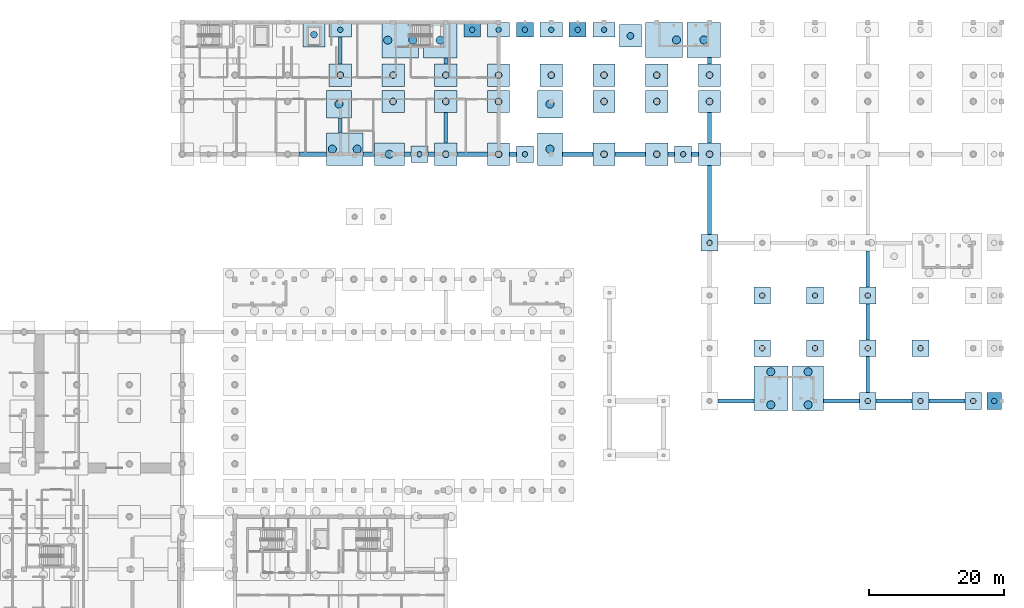
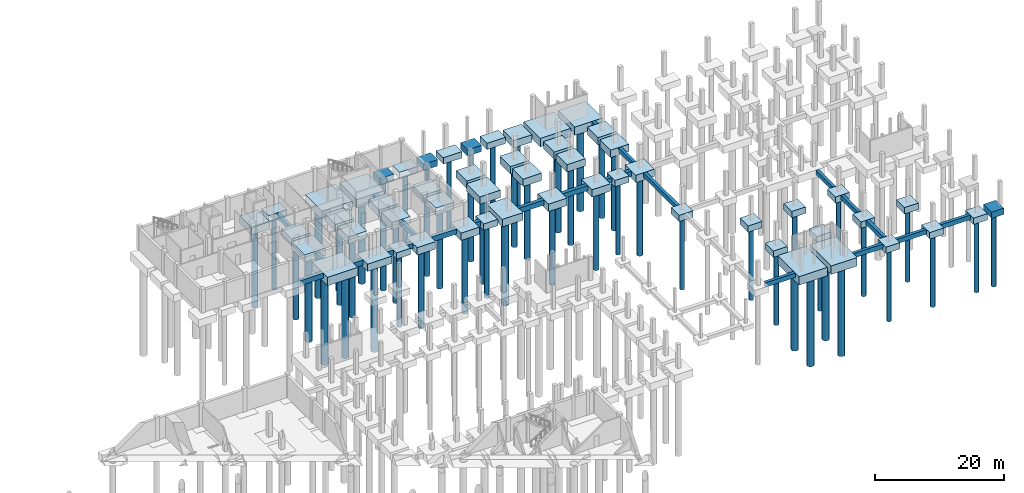
# One storey, part 4 of 24: 78 footings, 58 piles.
"""IFC4 building model written with IfcOpenShell, lengths in metres."""

from ifc_helpers import new_model, si_unit, direction, frame, origin, origin_2d, place, context, subcontext, project, spatial, rectangle, circle, extrude, material, material_profile, profile_set, type_object, element, save


model = new_model("IFC4")

# Units and contexts
model_context = context("Model", 3, precision=1e-05, world=origin(), true_north=direction((0.0, 1.0)))
body_context = subcontext(model_context, "Body", "Model", "MODEL_VIEW")
ifc_project = project(units=[si_unit("LENGTHUNIT", "METRE"), si_unit("AREAUNIT", "SQUARE_METRE"), si_unit("VOLUMEUNIT", "CUBIC_METRE"), si_unit("PLANEANGLEUNIT", "RADIAN"), si_unit("MASSUNIT", "GRAM", prefix="KILO")], contexts=[model_context])

# Site, building, storey
site_placement = place(None, origin())
site = spatial("IfcSite", under=ifc_project, at=site_placement, CompositionType="ELEMENT")
building_placement = place(site_placement, origin())
building = spatial("IfcBuilding", under=site, at=building_placement, Name="Celorna Specialist Clinic", CompositionType="ELEMENT")
storey_placement = place(building_placement, frame((0.0, 0.0, -4.5)))
storey = spatial("IfcBuildingStorey", under=building, at=storey_placement, Name="B01", CompositionType="ELEMENT", Elevation=-4.5)

# Footings
ifc_material = material(Name="Concrete C35/45", Category="concrete")
footing_type_1 = type_object("IfcFootingType", Name="FB-01", PredefinedType="FOOTING_BEAM", material=ifc_material)
footing_1_placement = place(storey_placement, frame((128.699951171875, 60.0, -0.85009765625), z_axis=(0.0, 0.0, 1.0), x_axis=(1.0, 0.0, 0.0)))
element("IfcFooting", 1, at=footing_1_placement, inside=storey, type_object=footing_type_1, Name="Foundation tie beam FB-01 #51", PredefinedType="FOOTING_BEAM", context=body_context, shape_type="SweptSolid", body=[
    extrude(rectangle(XDim=5.300048828125, YDim=0.550048828125, at=origin_2d()), origin(), (0.0, 0.0, 1.0), 0.85009765625),
])
footing_2_placement = place(storey_placement, frame((144.320068359375, 60.0, -0.85009765625), z_axis=(0.0, 0.0, 1.0), x_axis=(1.0, 0.0, 0.0)))
element("IfcFooting", 2, at=footing_2_placement, inside=storey, type_object=footing_type_1, Name="Foundation tie beam FB-01 #52", PredefinedType="FOOTING_BEAM", context=body_context, shape_type="SweptSolid", body=[
    extrude(rectangle(XDim=5.260009765625, YDim=0.550048828125, at=origin_2d()), origin(), (0.0, 0.0, 1.0), 0.85009765625),
])
for number, where, z_axis, x_axis, name in (
    (3, (152.10009765625, 60.0, -0.85009765625), (0.0, 0.0, 1.0), (1.0, 0.0, 0.0), "Foundation tie beam FB-01 #53"),
    (4, (159.89990234375, 60.0, -0.85009765625), (0.0, 0.0, 1.0), (1.0, 0.0, 0.0), "Foundation tie beam FB-01 #54"),
):
    element("IfcFooting", number, at=place(storey_placement, frame(where, z_axis=z_axis, x_axis=x_axis)), inside=storey, type_object=footing_type_1, Name=name, PredefinedType="FOOTING_BEAM", context=body_context, shape_type="SweptSolid", body=[
        extrude(rectangle(XDim=5.300048828125, YDim=0.550048828125, at=origin_2d()), origin(), (0.0, 0.0, 1.0), 0.85009765625),
    ])
footing_3_placement = place(storey_placement, frame((70.199951171875, 100.75, -0.85009765625), z_axis=(0.0, 0.0, 1.0), x_axis=(0.0, 1.0, 0.0)))
element("IfcFooting", 5, at=footing_3_placement, inside=storey, type_object=footing_type_1, Name="Foundation tie beam FB-01 #131", PredefinedType="FOOTING_BEAM", context=body_context, shape_type="SweptSolid", body=[
    extrude(rectangle(XDim=2.199951171875, YDim=0.550048828125, at=origin_2d()), origin(), (0.0, 0.0, 1.0), 0.85009765625),
])
footing_4_placement = place(storey_placement, frame((70.199951171875, 111.824951171875, -0.85009765625), z_axis=(0.0, 0.0, 1.0), x_axis=(0.0, 1.0, 0.0)))
element("IfcFooting", 6, at=footing_4_placement, inside=storey, type_object=footing_type_1, Name="Foundation tie beam FB-01 #132", PredefinedType="FOOTING_BEAM", context=body_context, shape_type="SweptSolid", body=[
    extrude(rectangle(XDim=3.949951171875, YDim=0.550048828125, at=origin_2d()), origin(), (0.0, 0.0, 1.0), 0.85009765625),
])
footing_5_placement = place(storey_placement, frame((85.800048828125, 100.39990234375, -0.85009765625), z_axis=(0.0, 0.0, 1.0), x_axis=(0.0, 1.0, 0.0)))
element("IfcFooting", 7, at=footing_5_placement, inside=storey, type_object=footing_type_1, Name="Foundation tie beam FB-01 #138", PredefinedType="FOOTING_BEAM", context=body_context, shape_type="SweptSolid", body=[
    extrude(rectangle(XDim=4.5, YDim=0.550048828125, at=origin_2d()), origin(), (0.0, 0.0, 1.0), 0.85009765625),
])
footing_6_placement = place(storey_placement, frame((85.800048828125, 110.284912109375, -0.85009765625), z_axis=(0.0, 0.0, 1.0), x_axis=(0.0, 1.0, 0.0)))
element("IfcFooting", 8, at=footing_6_placement, inside=storey, type_object=footing_type_1, Name="Foundation tie beam FB-01 #139", PredefinedType="FOOTING_BEAM", context=body_context, shape_type="SweptSolid", body=[
    extrude(rectangle(XDim=0.8701171875, YDim=0.550048828125, at=origin_2d()), origin(), (0.0, 0.0, 1.0), 0.85009765625),
])
footing_7_placement = place(storey_placement, frame((124.800048828125, 89.75, -0.85009765625), z_axis=(0.0, 0.0, 1.0), x_axis=(0.0, 1.0, 0.0)))
element("IfcFooting", 9, at=footing_7_placement, inside=storey, type_object=footing_type_1, Name="Foundation tie beam FB-01 #143", PredefinedType="FOOTING_BEAM", context=body_context, shape_type="SweptSolid", body=[
    extrude(rectangle(XDim=10.199951171875, YDim=0.550048828125, at=origin_2d()), origin(), (0.0, 0.0, 1.0), 0.85009765625),
])
footing_8_placement = place(storey_placement, frame((124.800048828125, 100.39990234375, -0.85009765625), z_axis=(0.0, 0.0, 1.0), x_axis=(0.0, 1.0, 0.0)))
element("IfcFooting", 10, at=footing_8_placement, inside=storey, type_object=footing_type_1, Name="Foundation tie beam FB-01 #144", PredefinedType="FOOTING_BEAM", context=body_context, shape_type="SweptSolid", body=[
    extrude(rectangle(XDim=4.5, YDim=0.550048828125, at=origin_2d()), origin(), (0.0, 0.0, 1.0), 0.85009765625),
])
footing_9_placement = place(storey_placement, frame((124.800048828125, 110.3349609375, -0.85009765625), z_axis=(0.0, 0.0, 1.0), x_axis=(0.0, 1.0, 0.0)))
element("IfcFooting", 11, at=footing_9_placement, inside=storey, type_object=footing_type_1, Name="Foundation tie beam FB-01 #145", PredefinedType="FOOTING_BEAM", context=body_context, shape_type="SweptSolid", body=[
    extrude(rectangle(XDim=0.969970703125, YDim=0.550048828125, at=origin_2d()), origin(), (0.0, 0.0, 1.0), 0.85009765625),
])
for number, where, z_axis, x_axis, name in (
    (12, (148.199951171875, 63.89990234375, -0.85009765625), (0.0, 0.0, 1.0), (0.0, 1.0, 0.0), "Foundation tie beam FB-01 #146"),
    (13, (148.199951171875, 71.699951171875, -0.85009765625), (0.0, 0.0, 1.0), (0.0, 1.0, 0.0), "Foundation tie beam FB-01 #147"),
    (14, (148.199951171875, 79.5, -0.85009765625), (0.0, 0.0, 1.0), (0.0, 1.0, 0.0), "Foundation tie beam FB-01 #148"),
):
    element("IfcFooting", number, at=place(storey_placement, frame(where, z_axis=z_axis, x_axis=x_axis)), inside=storey, type_object=footing_type_1, Name=name, PredefinedType="FOOTING_BEAM", context=body_context, shape_type="SweptSolid", body=[
        extrude(rectangle(XDim=5.300048828125, YDim=0.550048828125, at=origin_2d()), origin(), (0.0, 0.0, 1.0), 0.85009765625),
    ])
footing_type_2 = type_object("IfcFootingType", Name="FB-02", PredefinedType="FOOTING_BEAM", material=ifc_material)
footing_10_placement = place(storey_placement, frame((66.10009765625, 96.5, -0.9501953125), z_axis=(0.0, 0.0, 1.0), x_axis=(1.0, 0.0, 0.0)))
element("IfcFooting", 15, at=footing_10_placement, inside=storey, type_object=footing_type_2, Name="Foundation tie beam FB-02 #86", PredefinedType="FOOTING_BEAM", context=body_context, shape_type="SweptSolid", body=[
    extrude(rectangle(XDim=4.10009765625, YDim=0.64990234375, at=origin_2d()), origin(), (0.0, 0.0, 1.0), 0.949951171875),
])
footing_11_placement = place(storey_placement, frame((74.39990234375, 96.5, -0.9501953125), z_axis=(0.0, 0.0, 1.0), x_axis=(1.0, 0.0, 0.0)))
element("IfcFooting", 16, at=footing_11_placement, inside=storey, type_object=footing_type_2, Name="Foundation tie beam FB-02 #87", PredefinedType="FOOTING_BEAM", context=body_context, shape_type="SweptSolid", body=[
    extrude(rectangle(XDim=1.699951171875, YDim=0.64990234375, at=origin_2d()), origin(), (0.0, 0.0, 1.0), 0.949951171875),
])
for number, where, z_axis, x_axis, name in (
    (17, (80.14990234375, 96.5, -0.9501953125), (0.0, 0.0, 1.0), (1.0, 0.0, 0.0), "Foundation tie beam FB-02 #88"),
    (18, (83.64990234375, 96.5, -0.9501953125), (0.0, 0.0, 1.0), (1.0, 0.0, 0.0), "Foundation tie beam FB-02 #89"),
):
    element("IfcFooting", number, at=place(storey_placement, frame(where, z_axis=z_axis, x_axis=x_axis)), inside=storey, type_object=footing_type_2, Name=name, PredefinedType="FOOTING_BEAM", context=body_context, shape_type="SweptSolid", body=[
        extrude(rectangle(XDim=1.0, YDim=0.64990234375, at=origin_2d()), origin(), (0.0, 0.0, 1.0), 0.949951171875),
    ])
footing_12_placement = place(storey_placement, frame((89.699951171875, 96.5, -0.9501953125), z_axis=(0.0, 0.0, 1.0), x_axis=(1.0, 0.0, 0.0)))
element("IfcFooting", 19, at=footing_12_placement, inside=storey, type_object=footing_type_2, Name="Foundation tie beam FB-02 #90", PredefinedType="FOOTING_BEAM", context=body_context, shape_type="SweptSolid", body=[
    extrude(rectangle(XDim=4.5, YDim=0.64990234375, at=origin_2d()), origin(), (0.0, 0.0, 1.0), 0.949951171875),
])
footing_13_placement = place(storey_placement, frame((95.75, 96.5, -0.9501953125), z_axis=(0.0, 0.0, 1.0), x_axis=(1.0, 0.0, 0.0)))
element("IfcFooting", 20, at=footing_13_placement, inside=storey, type_object=footing_type_2, Name="Foundation tie beam FB-02 #91", PredefinedType="FOOTING_BEAM", context=body_context, shape_type="SweptSolid", body=[
    extrude(rectangle(XDim=1.0, YDim=0.64990234375, at=origin_2d()), origin(), (0.0, 0.0, 1.0), 0.949951171875),
])
for number, where, z_axis, x_axis, name in (
    (21, (105.300048828125, 96.5, -0.9501953125), (0.0, 0.0, 1.0), (1.0, 0.0, 0.0), "Foundation tie beam FB-02 #92"),
    (22, (113.10009765625, 96.5, -0.9501953125), (0.0, 0.0, 1.0), (1.0, 0.0, 0.0), "Foundation tie beam FB-02 #93"),
):
    element("IfcFooting", number, at=place(storey_placement, frame(where, z_axis=z_axis, x_axis=x_axis)), inside=storey, type_object=footing_type_2, Name=name, PredefinedType="FOOTING_BEAM", context=body_context, shape_type="SweptSolid", body=[
        extrude(rectangle(XDim=4.5, YDim=0.64990234375, at=origin_2d()), origin(), (0.0, 0.0, 1.0), 0.949951171875),
    ])
for number, where, z_axis, x_axis, name in (
    (23, (119.14990234375, 96.5, -0.9501953125), (0.0, 0.0, 1.0), (1.0, 0.0, 0.0), "Foundation tie beam FB-02 #94"),
    (24, (122.64990234375, 96.5, -0.9501953125), (0.0, 0.0, 1.0), (1.0, 0.0, 0.0), "Foundation tie beam FB-02 #95"),
):
    element("IfcFooting", number, at=place(storey_placement, frame(where, z_axis=z_axis, x_axis=x_axis)), inside=storey, type_object=footing_type_2, Name=name, PredefinedType="FOOTING_BEAM", context=body_context, shape_type="SweptSolid", body=[
        extrude(rectangle(XDim=1.0, YDim=0.64990234375, at=origin_2d()), origin(), (0.0, 0.0, 1.0), 0.949951171875),
    ])

# Piles
ifc_material_profile_1 = material_profile(ifc_material, circle(Radius=0.39990234375, at=origin_2d()), Name="BORED PILE 800")
ifc_profile_set_1 = profile_set([ifc_material_profile_1], Name="Concrete C35/45")
pile_type_1 = type_object("IfcPileType", Name="P1", PredefinedType="BORED", material=ifc_profile_set_1)
for number, where, z_axis, x_axis, name in (
    (25, (70.199951171875, 114.89990234375, -1.10009765625), (0.0, 0.0, -1.0), (1.0, 0.0, 0.0), "Bored pile P1 #146"),
    (26, (81.89990234375, 96.5, -1.10009765625), (0.0, 0.0, -1.0), (1.0, 0.0, 0.0), "Bored pile P1 #170"),
    (27, (89.699951171875, 114.89990234375, -1.10009765625), (0.0, 0.0, -1.0), (1.0, 0.0, 0.0), "Bored pile P1 #183"),
    (28, (93.60009765625, 114.89990234375, -1.10009765625), (0.0, 0.0, -1.0), (1.0, 0.0, 0.0), "Bored pile P1 #188"),
    (29, (97.5, 96.5, -1.10009765625), (0.0, 0.0, -1.0), (1.0, 0.0, 0.0), "Bored pile P1 #196"),
    (30, (97.5, 114.89990234375, -1.10009765625), (0.0, 0.0, -1.0), (1.0, 0.0, 0.0), "Bored pile P1 #197"),
    (31, (101.39990234375, 114.89990234375, -1.10009765625), (0.0, 0.0, -1.0), (1.0, 0.0, 0.0), "Bored pile P1 #202"),
    (32, (105.300048828125, 114.89990234375, -1.10009765625), (0.0, 0.0, -1.0), (1.0, 0.0, 0.0), "Bored pile P1 #209"),
    (33, (109.199951171875, 114.89990234375, -1.10009765625), (0.0, 0.0, -1.0), (1.0, 0.0, 0.0), "Bored pile P1 #213"),
    (34, (120.89990234375, 96.5, -1.10009765625), (0.0, 0.0, -1.0), (1.0, 0.0, 0.0), "Bored pile P1 #219"),
    (35, (124.800048828125, 83.39990234375, -1.10009765625), (0.0, 0.0, -1.0), (1.0, 0.0, 0.0), "Bored pile P1 #227"),
    (36, (132.60009765625, 67.800048828125, -1.10009765625), (0.0, 0.0, -1.0), (1.0, 0.0, 0.0), "Bored pile P1 #234"),
    (37, (132.60009765625, 75.60009765625, -1.10009765625), (0.0, 0.0, -1.0), (1.0, 0.0, 0.0), "Bored pile P1 #235"),
    (38, (140.39990234375, 67.800048828125, -1.10009765625), (0.0, 0.0, -1.0), (1.0, 0.0, 0.0), "Bored pile P1 #243"),
    (39, (140.39990234375, 75.60009765625, -1.10009765625), (0.0, 0.0, -1.0), (1.0, 0.0, 0.0), "Bored pile P1 #244"),
    (40, (148.199951171875, 60.0, -1.10009765625), (0.0, 0.0, -1.0), (1.0, 0.0, 0.0), "Bored pile P1 #254"),
    (41, (148.199951171875, 67.800048828125, -1.10009765625), (0.0, 0.0, -1.0), (1.0, 0.0, 0.0), "Bored pile P1 #255"),
    (42, (148.199951171875, 75.60009765625, -1.10009765625), (0.0, 0.0, -1.0), (1.0, 0.0, 0.0), "Bored pile P1 #256"),
    (43, (156.0, 60.0, -1.10009765625), (0.0, 0.0, -1.0), (1.0, 0.0, 0.0), "Bored pile P1 #262"),
    (44, (156.0, 67.800048828125, -1.10009765625), (0.0, 0.0, -1.0), (1.0, 0.0, 0.0), "Bored pile P1 #263"),
    (45, (163.800048828125, 60.0, -1.10009765625), (0.0, 0.0, -1.0), (1.0, 0.0, 0.0), "Bored pile P1 #273"),
    (46, (166.89990234375, 60.0, -1.10009765625), (0.0, 0.0, -1.0), (1.0, 0.0, 0.0), "Bored pile P1 #275"),
):
    element("IfcPile", number, at=place(storey_placement, frame(where, z_axis=z_axis, x_axis=x_axis)), inside=storey, type_object=pile_type_1, Name=name, PredefinedType="BORED", context=body_context, shape_type="SweptSolid", body=[
        extrude(circle(Radius=0.39990234375, at=origin_2d()), origin(), (0.0, 0.0, 1.0), 13.89990234375),
    ])
ifc_material_profile_2 = material_profile(ifc_material, circle(Radius=0.5, at=origin_2d()), Name="BORED PILE 1000")
ifc_profile_set_2 = profile_set([ifc_material_profile_2], Name="Concrete C35/45")
pile_type_2 = type_object("IfcPileType", Name="P2", PredefinedType="BORED", material=ifc_profile_set_2)
for number, where, z_axis, x_axis, name in (
    (47, (66.300048828125, 114.175048828125, -1.300048828125), (0.0, 0.0, -1.0), (1.0, 0.0, 0.0), "Bored pile P2 #133"),
    (48, (70.199951171875, 108.199951171875, -1.300048828125), (0.0, 0.0, -1.0), (1.0, 0.0, 0.0), "Bored pile P2 #145"),
    (49, (78.0, 104.300048828125, -1.300048828125), (0.0, 0.0, -1.0), (1.0, 0.0, 0.0), "Bored pile P2 #160"),
    (50, (78.0, 108.199951171875, -1.300048828125), (0.0, 0.0, -1.0), (1.0, 0.0, 0.0), "Bored pile P2 #161"),
    (51, (85.800048828125, 96.5, -1.300048828125), (0.0, 0.0, -1.0), (1.0, 0.0, 0.0), "Bored pile P2 #178"),
    (52, (85.800048828125, 104.300048828125, -1.300048828125), (0.0, 0.0, -1.0), (1.0, 0.0, 0.0), "Bored pile P2 #179"),
    (53, (85.800048828125, 108.199951171875, -1.300048828125), (0.0, 0.0, -1.0), (1.0, 0.0, 0.0), "Bored pile P2 #180"),
    (54, (93.60009765625, 96.5, -1.300048828125), (0.0, 0.0, -1.0), (1.0, 0.0, 0.0), "Bored pile P2 #185"),
    (55, (93.60009765625, 104.300048828125, -1.300048828125), (0.0, 0.0, -1.0), (1.0, 0.0, 0.0), "Bored pile P2 #186"),
    (56, (93.60009765625, 108.199951171875, -1.300048828125), (0.0, 0.0, -1.0), (1.0, 0.0, 0.0), "Bored pile P2 #187"),
    (57, (101.39990234375, 108.199951171875, -1.300048828125), (0.0, 0.0, -1.0), (1.0, 0.0, 0.0), "Bored pile P2 #201"),
    (58, (109.199951171875, 96.5, -1.300048828125), (0.0, 0.0, -1.0), (1.0, 0.0, 0.0), "Bored pile P2 #210"),
    (59, (109.199951171875, 104.300048828125, -1.300048828125), (0.0, 0.0, -1.0), (1.0, 0.0, 0.0), "Bored pile P2 #211"),
    (60, (109.199951171875, 108.199951171875, -1.300048828125), (0.0, 0.0, -1.0), (1.0, 0.0, 0.0), "Bored pile P2 #212"),
    (61, (113.10009765625, 114.0, -1.300048828125), (0.0, 0.0, -1.0), (1.0, 0.0, 0.0), "Bored pile P2 #214"),
    (62, (117.0, 96.5, -1.300048828125), (0.0, 0.0, -1.0), (1.0, 0.0, 0.0), "Bored pile P2 #215"),
    (63, (117.0, 104.300048828125, -1.300048828125), (0.0, 0.0, -1.0), (1.0, 0.0, 0.0), "Bored pile P2 #216"),
    (64, (117.0, 108.199951171875, -1.300048828125), (0.0, 0.0, -1.0), (1.0, 0.0, 0.0), "Bored pile P2 #217"),
    (65, (124.800048828125, 96.5, -1.300048828125), (0.0, 0.0, -1.0), (1.0, 0.0, 0.0), "Bored pile P2 #221"),
    (66, (124.800048828125, 104.300048828125, -1.300048828125), (0.0, 0.0, -1.0), (1.0, 0.0, 0.0), "Bored pile P2 #222"),
    (67, (124.800048828125, 108.199951171875, -1.300048828125), (0.0, 0.0, -1.0), (1.0, 0.0, 0.0), "Bored pile P2 #223"),
):
    element("IfcPile", number, at=place(storey_placement, frame(where, z_axis=z_axis, x_axis=x_axis)), inside=storey, type_object=pile_type_2, Name=name, PredefinedType="BORED", context=body_context, shape_type="SweptSolid", body=[
        extrude(circle(Radius=0.5, at=origin_2d()), origin(), (0.0, 0.0, 1.0), 15.199951171875),
    ])
ifc_material_profile_3 = material_profile(ifc_material, circle(Radius=0.60009765625, at=origin_2d()), Name="BORED PILE 1200")
ifc_profile_set_3 = profile_set([ifc_material_profile_3], Name="Concrete C35/45")
pile_type_3 = type_object("IfcPileType", Name="P3", PredefinedType="BORED", material=ifc_profile_set_3)
for number, where, z_axis, x_axis, name in (
    (68, (69.010009765625, 97.25, -1.5), (0.0, 0.0, -1.0), (1.0, 0.0, 0.0), "Bored pile P3 #140"),
    (69, (72.68994140625, 97.25, -1.5), (0.0, 0.0, -1.0), (1.0, 0.0, 0.0), "Bored pile P3 #141"),
):
    element("IfcPile", number, at=place(storey_placement, frame(where, z_axis=z_axis, x_axis=x_axis)), inside=storey, type_object=pile_type_3, Name=name, PredefinedType="BORED", context=body_context, shape_type="SweptSolid", body=[
        extrude(circle(Radius=0.60009765625, at=origin_2d()), origin(), (0.0, 0.0, 1.0), 16.5),
    ])
for number, where, z_axis, x_axis, name in (
    (70, (70.0, 103.89990234375, -1.300048828125), (0.0, 0.0, -1.0), (1.0, 0.0, 0.0), "Bored pile P3 #142"),
    (71, (77.449951171875, 96.5, -1.300048828125), (0.0, 0.0, -1.0), (1.0, 0.0, 0.0), "Bored pile P3 #155"),
):
    element("IfcPile", number, at=place(storey_placement, frame(where, z_axis=z_axis, x_axis=x_axis)), inside=storey, type_object=pile_type_3, Name=name, PredefinedType="BORED", context=body_context, shape_type="SweptSolid", body=[
        extrude(circle(Radius=0.60009765625, at=origin_2d()), origin(), (0.0, 0.0, 1.0), 16.699951171875),
    ])
for number, where, z_axis, x_axis, name in (
    (72, (77.2099609375, 113.360107421875, -1.5), (0.0, 0.0, -1.0), (1.0, 0.0, 0.0), "Bored pile P3 #162"),
    (73, (80.909912109375, 113.360107421875, -1.5), (0.0, 0.0, -1.0), (1.0, 0.0, 0.0), "Bored pile P3 #163"),
    (74, (84.9599609375, 113.360107421875, -1.5), (0.0, 0.0, -1.0), (1.0, 0.0, 0.0), "Bored pile P3 #171"),
):
    element("IfcPile", number, at=place(storey_placement, frame(where, z_axis=z_axis, x_axis=x_axis)), inside=storey, type_object=pile_type_3, Name=name, PredefinedType="BORED", context=body_context, shape_type="SweptSolid", body=[
        extrude(circle(Radius=0.60009765625, at=origin_2d()), origin(), (0.0, 0.0, 1.0), 16.5),
    ])
for number, where, z_axis, x_axis, name in (
    (75, (101.199951171875, 97.25, -1.300048828125), (0.0, 0.0, -1.0), (1.0, 0.0, 0.0), "Bored pile P3 #199"),
    (76, (101.199951171875, 103.89990234375, -1.300048828125), (0.0, 0.0, -1.0), (1.0, 0.0, 0.0), "Bored pile P3 #200"),
):
    element("IfcPile", number, at=place(storey_placement, frame(where, z_axis=z_axis, x_axis=x_axis)), inside=storey, type_object=pile_type_3, Name=name, PredefinedType="BORED", context=body_context, shape_type="SweptSolid", body=[
        extrude(circle(Radius=0.60009765625, at=origin_2d()), origin(), (0.0, 0.0, 1.0), 16.699951171875),
    ])
for number, where, z_axis, x_axis, name in (
    (77, (119.909912109375, 113.409912109375, -1.5), (0.0, 0.0, -1.0), (1.0, 0.0, 0.0), "Bored pile P3 #218"),
    (78, (123.9599609375, 113.409912109375, -1.5), (0.0, 0.0, -1.0), (1.0, 0.0, 0.0), "Bored pile P3 #220"),
    (79, (133.860107421875, 59.43994140625, -1.5), (0.0, 0.0, -1.0), (1.0, 0.0, 0.0), "Bored pile P3 #232"),
    (80, (133.860107421875, 64.320068359375, -1.5), (0.0, 0.0, -1.0), (1.0, 0.0, 0.0), "Bored pile P3 #233"),
    (81, (139.3798828125, 59.43994140625, -1.5), (0.0, 0.0, -1.0), (1.0, 0.0, 0.0), "Bored pile P3 #237"),
    (82, (139.3798828125, 64.320068359375, -1.5), (0.0, 0.0, -1.0), (1.0, 0.0, 0.0), "Bored pile P3 #238"),
):
    element("IfcPile", number, at=place(storey_placement, frame(where, z_axis=z_axis, x_axis=x_axis)), inside=storey, type_object=pile_type_3, Name=name, PredefinedType="BORED", context=body_context, shape_type="SweptSolid", body=[
        extrude(circle(Radius=0.60009765625, at=origin_2d()), origin(), (0.0, 0.0, 1.0), 16.5),
    ])

# Footings
footing_type_3 = type_object("IfcFootingType", Name="PC-02", PredefinedType="PILE_CAP", material=ifc_material)
for number, where, z_axis, x_axis, name in (
    (83, (70.199951171875, 114.89990234375, -1.2001953125), (0.0, 0.0, 1.0), (1.0, 0.0, 0.0), "Pile cap PC-02 #119"),
    (84, (93.60009765625, 114.89990234375, -1.2001953125), (0.0, 0.0, 1.0), (1.0, 0.0, 0.0), "Pile cap PC-02 #158"),
    (85, (101.39990234375, 114.89990234375, -1.2001953125), (0.0, 0.0, 1.0), (1.0, 0.0, 0.0), "Pile cap PC-02 #169"),
    (86, (109.199951171875, 114.89990234375, -1.2001953125), (0.0, 0.0, 1.0), (1.0, 0.0, 0.0), "Pile cap PC-02 #181"),
):
    element("IfcFooting", number, at=place(storey_placement, frame(where, z_axis=z_axis, x_axis=x_axis)), inside=storey, type_object=footing_type_3, Name=name, PredefinedType="PILE_CAP", context=body_context, shape_type="SweptSolid", body=[
        extrude(rectangle(XDim=3.300048828125, YDim=2.199951171875, at=origin_2d()), origin(), (0.0, 0.0, 1.0), 1.199951171875),
    ])
footing_type_4 = type_object("IfcFootingType", Name="PC-08", PredefinedType="PILE_CAP", material=ifc_material)
for number, where, z_axis, x_axis, name in (
    (87, (70.199951171875, 108.199951171875, -1.39990234375), (0.0, 0.0, 1.0), (1.0, 0.0, 0.0), "Pile cap PC-08 #118"),
    (88, (78.0, 104.300048828125, -1.39990234375), (0.0, 0.0, 1.0), (1.0, 0.0, 0.0), "Pile cap PC-08 #133"),
    (89, (78.0, 108.199951171875, -1.39990234375), (0.0, 0.0, 1.0), (1.0, 0.0, 0.0), "Pile cap PC-08 #134"),
    (90, (85.800048828125, 96.5, -1.39990234375), (0.0, 0.0, 1.0), (1.0, 0.0, 0.0), "Pile cap PC-08 #148"),
    (91, (85.800048828125, 104.300048828125, -1.39990234375), (0.0, 0.0, 1.0), (1.0, 0.0, 0.0), "Pile cap PC-08 #149"),
    (92, (85.800048828125, 108.199951171875, -1.39990234375), (0.0, 0.0, 1.0), (1.0, 0.0, 0.0), "Pile cap PC-08 #150"),
    (93, (93.60009765625, 96.5, -1.39990234375), (0.0, 0.0, 1.0), (1.0, 0.0, 0.0), "Pile cap PC-08 #155"),
    (94, (93.60009765625, 104.300048828125, -1.39990234375), (0.0, 0.0, 1.0), (1.0, 0.0, 0.0), "Pile cap PC-08 #156"),
    (95, (93.60009765625, 108.199951171875, -1.39990234375), (0.0, 0.0, 1.0), (1.0, 0.0, 0.0), "Pile cap PC-08 #157"),
    (96, (101.39990234375, 108.199951171875, -1.39990234375), (0.0, 0.0, 1.0), (1.0, 0.0, 0.0), "Pile cap PC-08 #168"),
    (97, (109.199951171875, 96.5, -1.39990234375), (0.0, 0.0, 1.0), (1.0, 0.0, 0.0), "Pile cap PC-08 #178"),
    (98, (109.199951171875, 104.300048828125, -1.39990234375), (0.0, 0.0, 1.0), (1.0, 0.0, 0.0), "Pile cap PC-08 #179"),
    (99, (109.199951171875, 108.199951171875, -1.39990234375), (0.0, 0.0, 1.0), (1.0, 0.0, 0.0), "Pile cap PC-08 #180"),
    (100, (113.10009765625, 114.0, -1.39990234375), (0.0, 0.0, 1.0), (1.0, 0.0, 0.0), "Pile cap PC-08 #182"),
    (101, (117.0, 96.5, -1.39990234375), (0.0, 0.0, 1.0), (1.0, 0.0, 0.0), "Pile cap PC-08 #183"),
    (102, (117.0, 104.300048828125, -1.39990234375), (0.0, 0.0, 1.0), (1.0, 0.0, 0.0), "Pile cap PC-08 #184"),
    (103, (117.0, 108.199951171875, -1.39990234375), (0.0, 0.0, 1.0), (1.0, 0.0, 0.0), "Pile cap PC-08 #185"),
    (104, (124.800048828125, 96.5, -1.39990234375), (0.0, 0.0, 1.0), (1.0, 0.0, 0.0), "Pile cap PC-08 #189"),
    (105, (124.800048828125, 104.300048828125, -1.39990234375), (0.0, 0.0, 1.0), (1.0, 0.0, 0.0), "Pile cap PC-08 #190"),
    (106, (124.800048828125, 108.199951171875, -1.39990234375), (0.0, 0.0, 1.0), (1.0, 0.0, 0.0), "Pile cap PC-08 #191"),
):
    element("IfcFooting", number, at=place(storey_placement, frame(where, z_axis=z_axis, x_axis=x_axis)), inside=storey, type_object=footing_type_4, Name=name, PredefinedType="PILE_CAP", context=body_context, shape_type="SweptSolid", body=[
        extrude(rectangle(XDim=3.300048828125, YDim=3.300048828125, at=origin_2d()), origin(), (0.0, 0.0, 1.0), 1.39990234375),
    ])
footing_type_5 = type_object("IfcFootingType", Name="PC-11", PredefinedType="PILE_CAP", material=ifc_material)
for number, where, z_axis, x_axis, name in (
    (107, (70.0, 103.89990234375, -1.39990234375), (0.0, 0.0, 1.0), (1.0, 0.0, 0.0), "Pile cap PC-11 #115"),
    (108, (101.199951171875, 103.89990234375, -1.39990234375), (0.0, 0.0, 1.0), (1.0, 0.0, 0.0), "Pile cap PC-11 #167"),
):
    element("IfcFooting", number, at=place(storey_placement, frame(where, z_axis=z_axis, x_axis=x_axis)), inside=storey, type_object=footing_type_5, Name=name, PredefinedType="PILE_CAP", context=body_context, shape_type="SweptSolid", body=[
        extrude(rectangle(XDim=3.699951171875, YDim=4.10009765625, at=origin_2d()), origin(), (0.0, 0.0, 1.0), 1.39990234375),
    ])
footing_type_6 = type_object("IfcFootingType", Name="PC-12", PredefinedType="PILE_CAP", material=ifc_material)
footing_14_placement = place(storey_placement, frame((101.199951171875, 97.25, -1.39990234375), z_axis=(0.0, 0.0, 1.0), x_axis=(1.0, 0.0, 0.0)))
element("IfcFooting", 109, at=footing_14_placement, inside=storey, type_object=footing_type_6, Name="Pile cap PC-12 #166", PredefinedType="PILE_CAP", context=body_context, shape_type="SweptSolid", body=[
    extrude(rectangle(XDim=3.699951171875, YDim=4.800048828125, at=origin_2d()), origin(), (0.0, 0.0, 1.0), 1.39990234375),
])
footing_type_7 = type_object("IfcFootingType", Name="PC-21", PredefinedType="PILE_CAP", material=ifc_material)
for number, where, z_axis, x_axis, name in (
    (110, (81.89990234375, 96.5, -1.2001953125), (0.0, 0.0, 1.0), (1.0, 0.0, 0.0), "Pile cap PC-21 #140"),
    (111, (97.5, 96.5, -1.2001953125), (0.0, 0.0, 1.0), (1.0, 0.0, 0.0), "Pile cap PC-21 #162"),
    (112, (120.89990234375, 96.5, -1.2001953125), (0.0, 0.0, 1.0), (1.0, 0.0, 0.0), "Pile cap PC-21 #187"),
    (113, (124.800048828125, 83.39990234375, -1.2001953125), (0.0, 0.0, 1.0), (1.0, 0.0, 0.0), "Pile cap PC-21 #195"),
    (114, (132.60009765625, 67.800048828125, -1.2001953125), (0.0, 0.0, 1.0), (1.0, 0.0, 0.0), "Pile cap PC-21 #201"),
    (115, (132.60009765625, 75.60009765625, -1.2001953125), (0.0, 0.0, 1.0), (1.0, 0.0, 0.0), "Pile cap PC-21 #202"),
    (116, (140.39990234375, 67.800048828125, -1.2001953125), (0.0, 0.0, 1.0), (1.0, 0.0, 0.0), "Pile cap PC-21 #209"),
    (117, (140.39990234375, 75.60009765625, -1.2001953125), (0.0, 0.0, 1.0), (1.0, 0.0, 0.0), "Pile cap PC-21 #210"),
    (118, (148.199951171875, 60.0, -1.2001953125), (0.0, 0.0, 1.0), (1.0, 0.0, 0.0), "Pile cap PC-21 #219"),
    (119, (148.199951171875, 67.800048828125, -1.2001953125), (0.0, 0.0, 1.0), (1.0, 0.0, 0.0), "Pile cap PC-21 #220"),
    (120, (148.199951171875, 75.60009765625, -1.2001953125), (0.0, 0.0, 1.0), (1.0, 0.0, 0.0), "Pile cap PC-21 #221"),
    (121, (156.0, 60.0, -1.2001953125), (0.0, 0.0, 1.0), (1.0, 0.0, 0.0), "Pile cap PC-21 #227"),
    (122, (156.0, 67.800048828125, -1.2001953125), (0.0, 0.0, 1.0), (1.0, 0.0, 0.0), "Pile cap PC-21 #228"),
    (123, (163.800048828125, 60.0, -1.2001953125), (0.0, 0.0, 1.0), (1.0, 0.0, 0.0), "Pile cap PC-21 #236"),
):
    element("IfcFooting", number, at=place(storey_placement, frame(where, z_axis=z_axis, x_axis=x_axis)), inside=storey, type_object=footing_type_7, Name=name, PredefinedType="PILE_CAP", context=body_context, shape_type="SweptSolid", body=[
        extrude(rectangle(XDim=2.5, YDim=2.5, at=origin_2d()), origin(), (0.0, 0.0, 1.0), 1.199951171875),
    ])
footing_type_8 = type_object("IfcFootingType", Name="PC-24", PredefinedType="PILE_CAP", material=ifc_material)
footing_15_placement = place(storey_placement, frame((66.300048828125, 114.175048828125, -1.39990234375), z_axis=(0.0, 0.0, 1.0), x_axis=(1.0, 0.0, 0.0)))
element("IfcFooting", 124, at=footing_15_placement, inside=storey, type_object=footing_type_8, Name="Pile cap PC-24 #110", PredefinedType="PILE_CAP", context=body_context, shape_type="SweptSolid", body=[
    extrude(rectangle(XDim=3.300048828125, YDim=3.64990234375, at=origin_2d()), origin(), (0.0, 0.0, 1.0), 1.39990234375),
])
footing_type_9 = type_object("IfcFootingType", Name="PC-27", PredefinedType="PILE_CAP", material=ifc_material)
footing_16_placement = place(storey_placement, frame((70.85009765625, 97.25, -1.60009765625), z_axis=(0.0, 0.0, 1.0), x_axis=(1.0, 0.0, 0.0)))
element("IfcFooting", 125, at=footing_16_placement, inside=storey, type_object=footing_type_9, Name="Pile cap PC-27 #114", PredefinedType="PILE_CAP", context=body_context, shape_type="SweptSolid", body=[
    extrude(rectangle(XDim=5.39990234375, YDim=4.800048828125, at=origin_2d()), origin(), (0.0, 0.0, 1.0), 1.60009765625),
])
footing_type_10 = type_object("IfcFootingType", Name="PC-29", PredefinedType="PILE_CAP", material=ifc_material)
footing_17_placement = place(storey_placement, frame((77.449951171875, 96.5, -1.39990234375), z_axis=(0.0, 0.0, 1.0), x_axis=(1.0, 0.0, 0.0)))
element("IfcFooting", 126, at=footing_17_placement, inside=storey, type_object=footing_type_10, Name="Pile cap PC-29 #128", PredefinedType="PILE_CAP", context=body_context, shape_type="SweptSolid", body=[
    extrude(rectangle(XDim=4.39990234375, YDim=3.300048828125, at=origin_2d()), origin(), (0.0, 0.0, 1.0), 1.39990234375),
])
footing_type_11 = type_object("IfcFootingType", Name="PC-31", PredefinedType="PILE_CAP", material=ifc_material)
footing_18_placement = place(storey_placement, frame((79.06005859375, 113.360107421875, -1.60009765625), z_axis=(0.0, 0.0, 1.0), x_axis=(1.0, 0.0, 0.0)))
element("IfcFooting", 127, at=footing_18_placement, inside=storey, type_object=footing_type_11, Name="Pile cap PC-31 #135", PredefinedType="PILE_CAP", context=body_context, shape_type="SweptSolid", body=[
    extrude(rectangle(XDim=5.419921875, YDim=5.280029296875, at=origin_2d()), origin(), (0.0, 0.0, 1.0), 1.60009765625),
])
footing_type_12 = type_object("IfcFootingType", Name="PC-34", PredefinedType="PILE_CAP", material=ifc_material)
footing_19_placement = place(storey_placement, frame((84.9599609375, 113.360107421875, -1.60009765625), z_axis=(0.0, 0.0, 1.0), x_axis=(1.0, 0.0, 0.0)))
element("IfcFooting", 128, at=footing_19_placement, inside=storey, type_object=footing_type_12, Name="Pile cap PC-34 #141", PredefinedType="PILE_CAP", context=body_context, shape_type="SweptSolid", body=[
    extrude(rectangle(XDim=4.97998046875, YDim=5.280029296875, at=origin_2d()), origin(), (0.0, 0.0, 1.0), 1.60009765625),
])
footing_type_13 = type_object("IfcFootingType", Name="PC-35", PredefinedType="PILE_CAP", material=ifc_material)
for number, where, z_axis, x_axis, name in (
    (129, (89.699951171875, 114.89990234375, -1.2001953125), (0.0, 0.0, 1.0), (1.0, 0.0, 0.0), "Pile cap PC-35 #153"),
    (130, (97.5, 114.89990234375, -1.2001953125), (0.0, 0.0, 1.0), (1.0, 0.0, 0.0), "Pile cap PC-35 #163"),
    (131, (105.300048828125, 114.89990234375, -1.2001953125), (0.0, 0.0, 1.0), (1.0, 0.0, 0.0), "Pile cap PC-35 #177"),
):
    element("IfcFooting", number, at=place(storey_placement, frame(where, z_axis=z_axis, x_axis=x_axis)), inside=storey, type_object=footing_type_13, Name=name, PredefinedType="PILE_CAP", context=body_context, shape_type="SweptSolid", body=[
        extrude(rectangle(XDim=2.5, YDim=2.199951171875, at=origin_2d()), origin(), (0.0, 0.0, 1.0), 1.199951171875),
    ])
footing_20_placement = place(storey_placement, frame((166.89990234375, 60.0, -1.2001953125), z_axis=(0.0, 0.0, 1.0), x_axis=(1.0, 0.0, 0.0)))
element("IfcFooting", 132, at=footing_20_placement, inside=storey, type_object=footing_type_13, Name="Pile cap PC-35 #239", PredefinedType="PILE_CAP", context=body_context, shape_type="SweptSolid", body=[
    extrude(rectangle(XDim=2.199951171875, YDim=2.5, at=origin_2d()), origin(), (0.0, 0.0, 1.0), 1.199951171875),
])
footing_type_14 = type_object("IfcFootingType", Name="PC-37", PredefinedType="PILE_CAP", material=ifc_material)
footing_21_placement = place(storey_placement, frame((118.06005859375, 113.409912109375, -1.60009765625), z_axis=(0.0, 0.0, 1.0), x_axis=(1.0, 0.0, 0.0)))
element("IfcFooting", 133, at=footing_21_placement, inside=storey, type_object=footing_type_14, Name="Pile cap PC-37 #186", PredefinedType="PILE_CAP", context=body_context, shape_type="SweptSolid", body=[
    extrude(rectangle(XDim=5.419921875, YDim=5.179931640625, at=origin_2d()), origin(), (0.0, 0.0, 1.0), 1.60009765625),
])
footing_type_15 = type_object("IfcFootingType", Name="PC-38", PredefinedType="PILE_CAP", material=ifc_material)
footing_22_placement = place(storey_placement, frame((123.9599609375, 113.409912109375, -1.60009765625), z_axis=(0.0, 0.0, 1.0), x_axis=(1.0, 0.0, 0.0)))
element("IfcFooting", 134, at=footing_22_placement, inside=storey, type_object=footing_type_15, Name="Pile cap PC-38 #188", PredefinedType="PILE_CAP", context=body_context, shape_type="SweptSolid", body=[
    extrude(rectangle(XDim=4.97998046875, YDim=5.179931640625, at=origin_2d()), origin(), (0.0, 0.0, 1.0), 1.60009765625),
])
footing_type_16 = type_object("IfcFootingType", Name="PC-39", PredefinedType="PILE_CAP", material=ifc_material)
footing_23_placement = place(storey_placement, frame((133.860107421875, 61.8798828125, -1.60009765625), z_axis=(0.0, 0.0, 1.0), x_axis=(1.0, 0.0, 0.0)))
element("IfcFooting", 135, at=footing_23_placement, inside=storey, type_object=footing_type_16, Name="Pile cap PC-39 #200", PredefinedType="PILE_CAP", context=body_context, shape_type="SweptSolid", body=[
    extrude(rectangle(XDim=5.02001953125, YDim=6.60009765625, at=origin_2d()), origin(), (0.0, 0.0, 1.0), 1.60009765625),
])
footing_type_17 = type_object("IfcFootingType", Name="PC-40", PredefinedType="PILE_CAP", material=ifc_material)
footing_24_placement = place(storey_placement, frame((139.3798828125, 61.8798828125, -1.60009765625), z_axis=(0.0, 0.0, 1.0), x_axis=(1.0, 0.0, 0.0)))
element("IfcFooting", 136, at=footing_24_placement, inside=storey, type_object=footing_type_17, Name="Pile cap PC-40 #204", PredefinedType="PILE_CAP", context=body_context, shape_type="SweptSolid", body=[
    extrude(rectangle(XDim=4.6201171875, YDim=6.60009765625, at=origin_2d()), origin(), (0.0, 0.0, 1.0), 1.60009765625),
])

save(model, "model.ifc")
